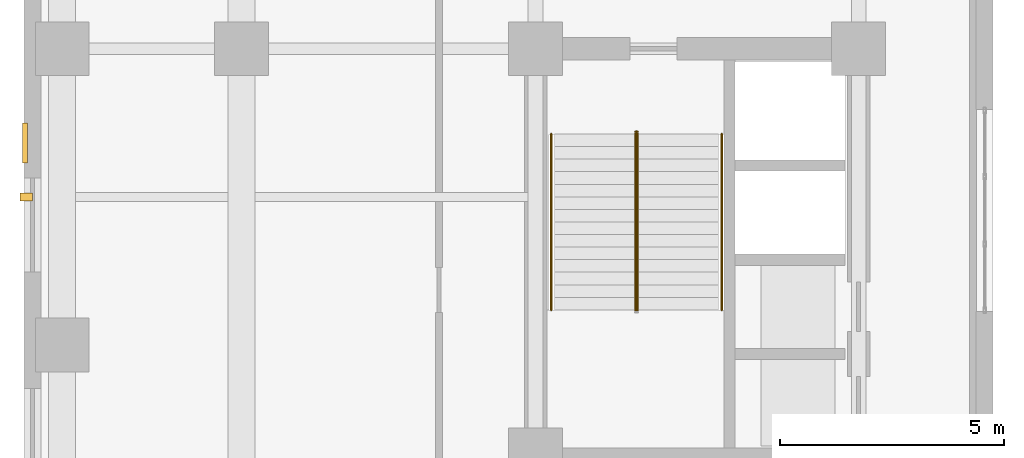
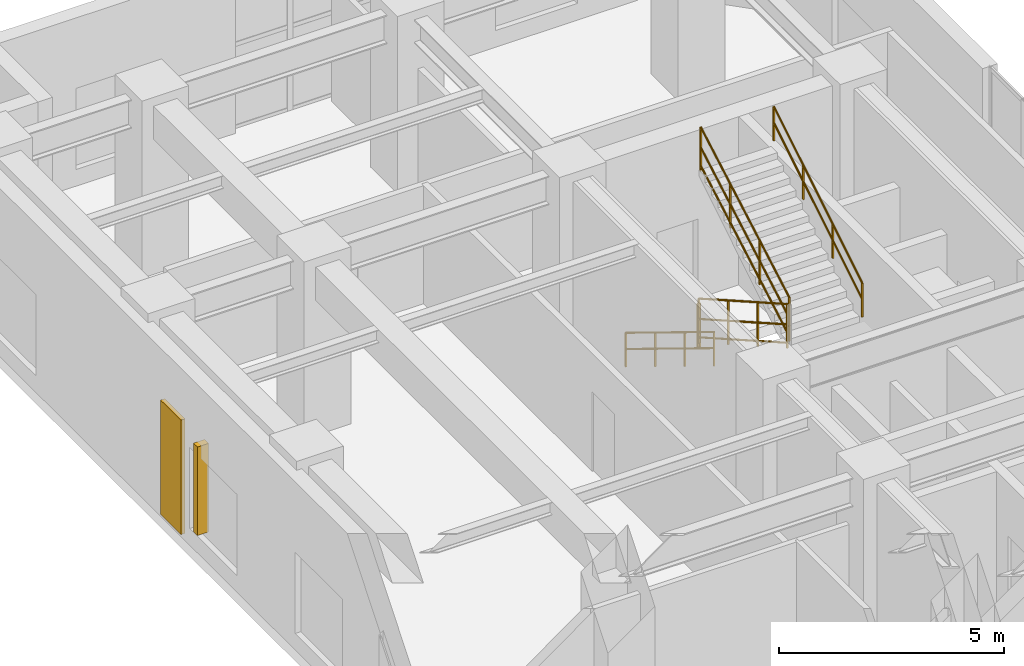
# One storey, part 17 of 18: 5 railings, 1 covering, 1 shading device.
"""IFC4 building model written with IfcOpenShell, lengths in metres."""

from ifc_helpers import new_model, entity, si_unit, converted_unit, direction, frame, origin_with_axes, origin_2d_with_axis, place, context, subcontext, project, spatial, rectangle, circle, extrude, material, layer, layer_set, type_object, element, save


model = new_model("IFC4")

# Units and contexts
model_context = context("Model", 3, precision=1e-05, world=origin_with_axes(), true_north=direction((0.0, 1.0)))
body_context = subcontext(model_context, "Body", "Model", "MODEL_VIEW")
ifc_project = project(units=[si_unit("LENGTHUNIT", "METRE"), si_unit("AREAUNIT", "SQUARE_METRE"), si_unit("VOLUMEUNIT", "CUBIC_METRE"), converted_unit("PLANEANGLEUNIT", "DEGREE", entity("IfcPlaneAngleMeasure", 0.017453292519943295), si_unit("PLANEANGLEUNIT", "RADIAN"), dimensions=[0, 0, 0, 0, 0, 0, 0]), si_unit("MASSUNIT", "GRAM", prefix="KILO"), si_unit("THERMODYNAMICTEMPERATUREUNIT", "KELVIN")], contexts=[model_context])

# Site, building, storey
site_placement = place(None, origin_with_axes())
site = spatial("IfcSite", under=ifc_project, at=site_placement, CompositionType="ELEMENT")
building_placement = place(site_placement, origin_with_axes())
building = spatial("IfcBuilding", under=site, at=building_placement, Name="Varnlund Millrace Tower", CompositionType="ELEMENT")
storey_placement = place(building_placement, frame((0.0, 0.0, 124.2), z_axis=(0.0, 0.0, 1.0), x_axis=(1.0, 0.0, 0.0)))
storey = spatial("IfcBuildingStorey", under=building, at=storey_placement, Name="L30", CompositionType="ELEMENT", Elevation=124.2)

# Covering
ifc_material_1 = material(Name="Precast concrete C50/60", Category="concrete")
ifc_layer = layer(ifc_material_1, 0.11, Name="Precast concrete C50/60")
ifc_layer_set = layer_set([ifc_layer], Name="Precast concrete C50/60")
covering_type = type_object("IfcCoveringType", Name="Type-Cladding-KasotaPier-110", PredefinedType="CLADDING", material=ifc_layer_set)
covering_placement = place(storey_placement, frame((0.02, 35.7, 0.1), z_axis=(0.0, 0.0, 1.0), x_axis=(1.0, 0.0, 0.0)))
element("IfcCovering", 1, at=covering_placement, inside=storey, type_object=covering_type, Name="Type-Cladding-KasotaPier-110", PredefinedType="CLADDING", context=body_context, shape_type="SweptSolid", body=[
    extrude(rectangle(XDim=0.11, YDim=0.9, at=origin_2d_with_axis()), origin_with_axes(), (0.0, 0.0, 1.0), 3.1),
])

# Shading device
ifc_material_2 = material(Name="Architectural bronze fluted spandrel fin", Category="aluminium")
shading_device_type = type_object("IfcShadingDeviceType", Name="Type-Shade-ArtDecoFin", PredefinedType="USERDEFINED", material=ifc_material_2)
shading_device_placement = place(storey_placement, frame((0.05, 34.5, 0.6), z_axis=(0.0, 0.0, 1.0), x_axis=(1.0, 0.0, 0.0)))
element("IfcShadingDevice", 2, at=shading_device_placement, inside=storey, type_object=shading_device_type, Name="Type-Shade-ArtDecoFin", ObjectType="FIN", PredefinedType="USERDEFINED", context=body_context, shape_type="SweptSolid", body=[
    extrude(rectangle(XDim=0.28, YDim=0.18, at=origin_2d_with_axis()), origin_with_axes(), (0.0, 0.0, 1.0), 2.4),
])

# Railings
ifc_material_3 = material(Name="Painted steel stair well balustrade guard", Category="steel")
railing_type_1 = type_object("IfcRailingType", Name="Type-StairGuard-1150", PredefinedType="GUARDRAIL", material=ifc_material_3)
railing_1_placement = place(storey_placement, frame((0.0, 0.0, -124.2), z_axis=(0.0, 0.0, 1.0), x_axis=(1.0, 0.0, 0.0)))
element("IfcRailing", 3, at=railing_1_placement, inside=storey, type_object=railing_type_1, Name="Type-StairGuard-1150", PredefinedType="GUARDRAIL", context=body_context, shape_type="SweptSolid", body=[
    extrude(circle(Radius=0.024, at=origin_2d_with_axis()), frame((13.625, 35.9, 125.521429), z_axis=(0.0, -0.869333, 0.494227), x_axis=(1.0, 0.0, 0.0)), (0.0, 0.0, 1.0), 4.509205),
    extrude(circle(Radius=0.024, at=origin_2d_with_axis()), frame((13.625, 35.9, 124.471429), z_axis=(0.0, -0.869333, 0.494227), x_axis=(1.0, 0.0, 0.0)), (0.0, 0.0, 1.0), 4.509205),
    extrude(circle(Radius=0.024, at=origin_2d_with_axis()), frame((13.625, 35.9, 124.969429), z_axis=(0.0, -0.869333, 0.494227), x_axis=(1.0, 0.0, 0.0)), (0.0, 0.0, 1.0), 4.509205),
    extrude(rectangle(XDim=0.04, YDim=0.04, at=origin_2d_with_axis()), frame((13.625, 35.9, 124.331429), z_axis=(0.0, 0.0, 1.0), x_axis=(1.0, 0.0, 0.0)), (0.0, 0.0, 1.0), 1.19),
    extrude(rectangle(XDim=0.04, YDim=0.04, at=origin_2d_with_axis()), frame((13.625, 34.593333, 125.074286), z_axis=(0.0, 0.0, 1.0), x_axis=(1.0, 0.0, 0.0)), (0.0, 0.0, 1.0), 1.19),
    extrude(rectangle(XDim=0.04, YDim=0.04, at=origin_2d_with_axis()), frame((13.625, 33.286667, 125.817143), z_axis=(0.0, 0.0, 1.0), x_axis=(1.0, 0.0, 0.0)), (0.0, 0.0, 1.0), 1.19),
    extrude(rectangle(XDim=0.04, YDim=0.04, at=origin_2d_with_axis()), frame((13.625, 31.98, 126.56), z_axis=(0.0, 0.0, 1.0), x_axis=(1.0, 0.0, 0.0)), (0.0, 0.0, 1.0), 1.19),
])
railing_2_placement = place(storey_placement, frame((0.0, 0.0, -124.2), z_axis=(0.0, 0.0, 1.0), x_axis=(1.0, 0.0, 0.0)))
element("IfcRailing", 4, at=railing_2_placement, inside=storey, type_object=railing_type_1, Name="Type-StairGuard-1150", PredefinedType="GUARDRAIL", context=body_context, shape_type="SweptSolid", body=[
    extrude(circle(Radius=0.024, at=origin_2d_with_axis()), frame((13.675, 31.98, 127.921429), z_axis=(0.0, 0.869333, 0.494227), x_axis=(-1.0, 0.0, 0.0)), (0.0, 0.0, 1.0), 4.509205),
    extrude(circle(Radius=0.024, at=origin_2d_with_axis()), frame((13.675, 31.98, 126.871429), z_axis=(0.0, 0.869333, 0.494227), x_axis=(-1.0, 0.0, 0.0)), (0.0, 0.0, 1.0), 4.509205),
    extrude(circle(Radius=0.024, at=origin_2d_with_axis()), frame((13.675, 31.98, 127.369429), z_axis=(0.0, 0.869333, 0.494227), x_axis=(-1.0, 0.0, 0.0)), (0.0, 0.0, 1.0), 4.509205),
    extrude(rectangle(XDim=0.04, YDim=0.04, at=origin_2d_with_axis()), frame((13.675, 31.98, 126.731429), z_axis=(0.0, 0.0, 1.0), x_axis=(1.0, 0.0, 0.0)), (0.0, 0.0, 1.0), 1.19),
    extrude(rectangle(XDim=0.04, YDim=0.04, at=origin_2d_with_axis()), frame((13.675, 33.286667, 127.474286), z_axis=(0.0, 0.0, 1.0), x_axis=(1.0, 0.0, 0.0)), (0.0, 0.0, 1.0), 1.19),
    extrude(rectangle(XDim=0.04, YDim=0.04, at=origin_2d_with_axis()), frame((13.675, 34.593333, 128.217143), z_axis=(0.0, 0.0, 1.0), x_axis=(1.0, 0.0, 0.0)), (0.0, 0.0, 1.0), 1.19),
    extrude(rectangle(XDim=0.04, YDim=0.04, at=origin_2d_with_axis()), frame((13.675, 35.9, 128.96), z_axis=(0.0, 0.0, 1.0), x_axis=(1.0, 0.0, 0.0)), (0.0, 0.0, 1.0), 1.19),
])
railing_3_placement = place(storey_placement, frame((0.0, 0.0, -124.2), z_axis=(0.0, 0.0, 1.0), x_axis=(1.0, 0.0, 0.0)))
element("IfcRailing", 5, at=railing_3_placement, inside=storey, type_object=railing_type_1, Name="Type-StairGuard-1150", PredefinedType="GUARDRAIL", context=body_context, shape_type="SweptSolid", body=[
    extrude(circle(Radius=0.024, at=origin_2d_with_axis()), frame((13.675, 35.95, 125.35), z_axis=(-1.0, 0.0, 0.0), x_axis=(0.0, -1.0, 0.0)), (0.0, 0.0, 1.0), 0.05),
    extrude(circle(Radius=0.024, at=origin_2d_with_axis()), frame((13.675, 35.95, 124.3), z_axis=(-1.0, 0.0, 0.0), x_axis=(0.0, -1.0, 0.0)), (0.0, 0.0, 1.0), 0.05),
    extrude(circle(Radius=0.024, at=origin_2d_with_axis()), frame((13.675, 35.95, 124.798), z_axis=(-1.0, 0.0, 0.0), x_axis=(0.0, -1.0, 0.0)), (0.0, 0.0, 1.0), 0.05),
    extrude(rectangle(XDim=0.04, YDim=0.04, at=origin_2d_with_axis()), frame((13.675, 35.95, 124.16), z_axis=(0.0, 0.0, 1.0), x_axis=(1.0, 0.0, 0.0)), (0.0, 0.0, 1.0), 1.19),
    extrude(rectangle(XDim=0.04, YDim=0.04, at=origin_2d_with_axis()), frame((13.625, 35.95, 124.16), z_axis=(0.0, 0.0, 1.0), x_axis=(1.0, 0.0, 0.0)), (0.0, 0.0, 1.0), 1.19),
])
ifc_material_4 = material(Name="Brushed architectural bronze stair handrail", Category="aluminium")
railing_type_2 = type_object("IfcRailingType", Name="Type-StairHandrail-900", PredefinedType="HANDRAIL", material=ifc_material_4)
railing_4_placement = place(storey_placement, frame((0.0, 0.0, -124.2), z_axis=(0.0, 0.0, 1.0), x_axis=(1.0, 0.0, 0.0)))
element("IfcRailing", 6, at=railing_4_placement, inside=storey, type_object=railing_type_2, Name="Type-StairHandrail-900", PredefinedType="HANDRAIL", context=body_context, shape_type="SweptSolid", body=[
    extrude(circle(Radius=0.024, at=origin_2d_with_axis()), frame((11.75, 35.9, 125.250961), z_axis=(0.0, -0.852851, 0.522154), x_axis=(1.0, 0.0, 0.0)), (0.0, 0.0, 1.0), 4.596346),
    extrude(circle(Radius=0.024, at=origin_2d_with_axis()), frame((11.75, 35.9, 124.811195), z_axis=(0.0, -0.852851, 0.522154), x_axis=(1.0, 0.0, 0.0)), (0.0, 0.0, 1.0), 4.596346),
    extrude(rectangle(XDim=0.04, YDim=0.04, at=origin_2d_with_axis()), frame((11.75, 35.9, 124.331429), z_axis=(0.0, 0.0, 1.0), x_axis=(1.0, 0.0, 0.0)), (0.0, 0.0, 1.0), 0.919532),
    extrude(rectangle(XDim=0.04, YDim=0.04, at=origin_2d_with_axis()), frame((11.75, 34.593333, 125.131429), z_axis=(0.0, 0.0, 1.0), x_axis=(1.0, 0.0, 0.0)), (0.0, 0.0, 1.0), 0.919532),
    extrude(rectangle(XDim=0.04, YDim=0.04, at=origin_2d_with_axis()), frame((11.75, 33.286667, 125.931429), z_axis=(0.0, 0.0, 1.0), x_axis=(1.0, 0.0, 0.0)), (0.0, 0.0, 1.0), 0.919532),
    extrude(rectangle(XDim=0.04, YDim=0.04, at=origin_2d_with_axis()), frame((11.75, 31.98, 126.731429), z_axis=(0.0, 0.0, 1.0), x_axis=(1.0, 0.0, 0.0)), (0.0, 0.0, 1.0), 0.919532),
])
railing_5_placement = place(storey_placement, frame((0.0, 0.0, -124.2), z_axis=(0.0, 0.0, 1.0), x_axis=(1.0, 0.0, 0.0)))
element("IfcRailing", 7, at=railing_5_placement, inside=storey, type_object=railing_type_2, Name="Type-StairHandrail-900", PredefinedType="HANDRAIL", context=body_context, shape_type="SweptSolid", body=[
    extrude(circle(Radius=0.024, at=origin_2d_with_axis()), frame((15.55, 31.98, 127.650961), z_axis=(0.0, 0.852851, 0.522154), x_axis=(-1.0, 0.0, 0.0)), (0.0, 0.0, 1.0), 4.596346),
    extrude(circle(Radius=0.024, at=origin_2d_with_axis()), frame((15.55, 31.98, 127.211195), z_axis=(0.0, 0.852851, 0.522154), x_axis=(-1.0, 0.0, 0.0)), (0.0, 0.0, 1.0), 4.596346),
    extrude(rectangle(XDim=0.04, YDim=0.04, at=origin_2d_with_axis()), frame((15.55, 31.98, 126.731429), z_axis=(0.0, 0.0, 1.0), x_axis=(1.0, 0.0, 0.0)), (0.0, 0.0, 1.0), 0.919532),
    extrude(rectangle(XDim=0.04, YDim=0.04, at=origin_2d_with_axis()), frame((15.55, 33.286667, 127.531429), z_axis=(0.0, 0.0, 1.0), x_axis=(1.0, 0.0, 0.0)), (0.0, 0.0, 1.0), 0.919532),
    extrude(rectangle(XDim=0.04, YDim=0.04, at=origin_2d_with_axis()), frame((15.55, 34.593333, 128.331429), z_axis=(0.0, 0.0, 1.0), x_axis=(1.0, 0.0, 0.0)), (0.0, 0.0, 1.0), 0.919532),
    extrude(rectangle(XDim=0.04, YDim=0.04, at=origin_2d_with_axis()), frame((15.55, 35.9, 129.131429), z_axis=(0.0, 0.0, 1.0), x_axis=(1.0, 0.0, 0.0)), (0.0, 0.0, 1.0), 0.919532),
])

save(model, "model.ifc")
